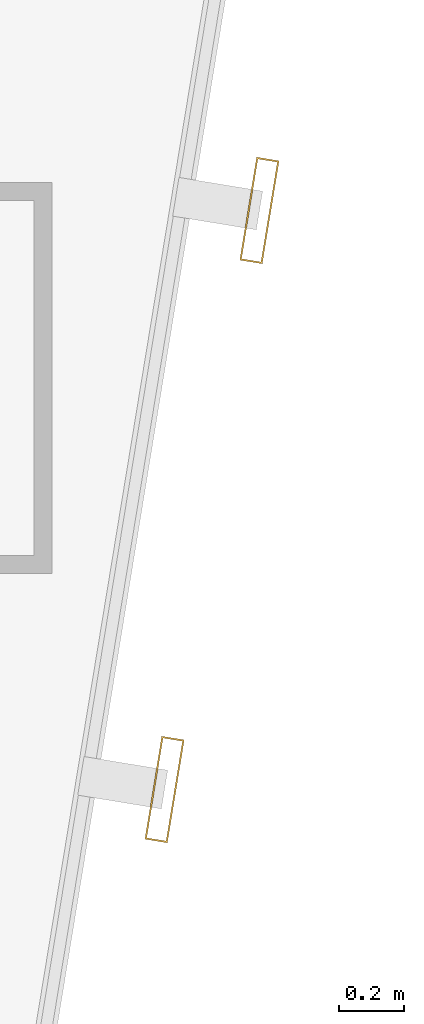
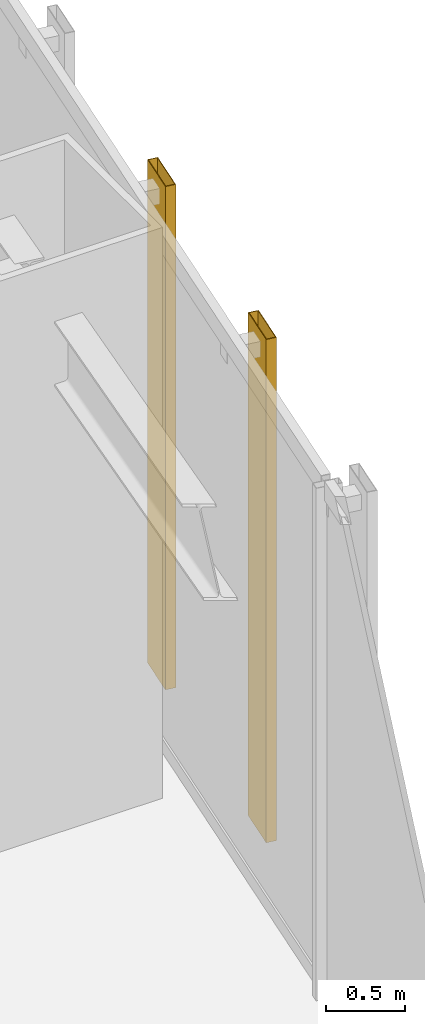
# One storey, part 45 of 47: 2 shading devices.
"""IFC4 building model written with IfcOpenShell, lengths in metres."""

from ifc_helpers import new_model, si_unit, direction, frame, origin, origin_2d, place, context, subcontext, project, spatial, hollow_rectangle, extrude, material, material_profile, profile_set, type_object, element, save


model = new_model("IFC4")

# Units and contexts
model_context = context("Model", 3, precision=1e-05, world=origin(), true_north=direction((0.0, 1.0)))
body_context = subcontext(model_context, "Body", "Model", "MODEL_VIEW")
ifc_project = project(units=[si_unit("LENGTHUNIT", "METRE"), si_unit("AREAUNIT", "SQUARE_METRE"), si_unit("VOLUMEUNIT", "CUBIC_METRE"), si_unit("PLANEANGLEUNIT", "RADIAN"), si_unit("MASSUNIT", "GRAM", prefix="KILO")], contexts=[model_context])

# Site, building, storey
site_placement = place(None, origin())
site = spatial("IfcSite", under=ifc_project, at=site_placement, CompositionType="ELEMENT")
building_placement = place(site_placement, origin())
building = spatial("IfcBuilding", under=site, at=building_placement, Name="Saevonmaru Cultural Tower", CompositionType="ELEMENT")
storey_placement = place(building_placement, frame((0.0, 0.0, 82.39990234375)))
storey = spatial("IfcBuildingStorey", under=building, at=storey_placement, Name="L17", CompositionType="ELEMENT", Elevation=82.39990234375)

# Shading devices
ifc_material = material(Name="Satin Bronze Anodised Aluminium", Category="aluminium")
ifc_material_profile = material_profile(ifc_material, hollow_rectangle(XDim=0.070068359375, YDim=0.320068359375, WallThickness=0.0048828125, at=origin_2d()), Name="FIN-320x70")
ifc_profile_set = profile_set([ifc_material_profile], Name="Satin Bronze Anodised Aluminium")
shading_device_type = type_object("IfcShadingDeviceType", Name="SHD-FIN-320", PredefinedType="JALOUSIE", material=ifc_profile_set)
for number, where, z_axis, x_axis, name in (
    (1, (52.6279296875, 30.737548828125, 0.050048828125), (0.0, 0.0, 1.0), (0.986827496189, -0.161776057456, 0.0), "L17 Art Deco Sawtooth Bronze Fin E8-15"),
    (2, (52.9189453125, 32.513916015625, 0.050048828125), (0.0, 0.0, 1.0), (0.986827496189, -0.161776057456, 0.0), "L17 Art Deco Sawtooth Bronze Fin E8-16"),
):
    element("IfcShadingDevice", number, at=place(storey_placement, frame(where, z_axis=z_axis, x_axis=x_axis)), inside=storey, type_object=shading_device_type, Name=name, PredefinedType="JALOUSIE", context=body_context, shape_type="SweptSolid", body=[
        extrude(hollow_rectangle(XDim=0.070068359375, YDim=0.320068359375, WallThickness=0.0048828125, at=origin_2d()), origin(), (0.0, 0.0, 1.0), 3.880126953125),
    ])

save(model, "model.ifc")
